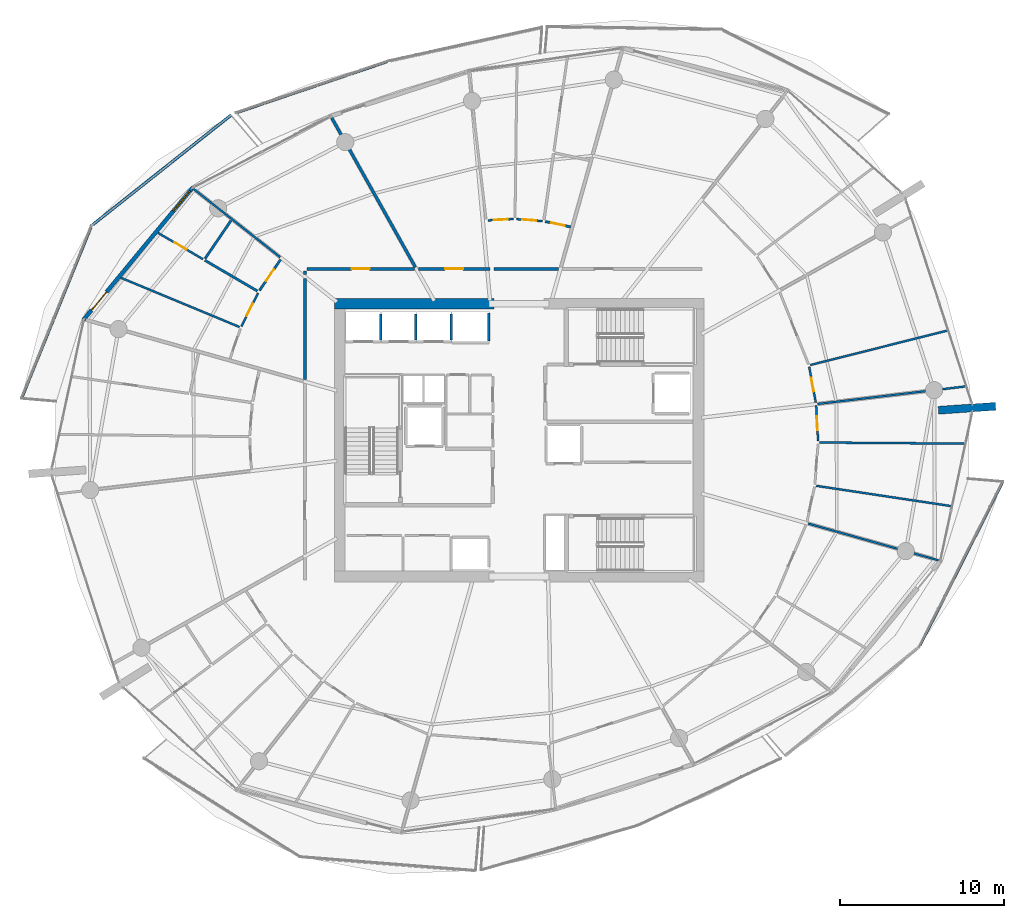
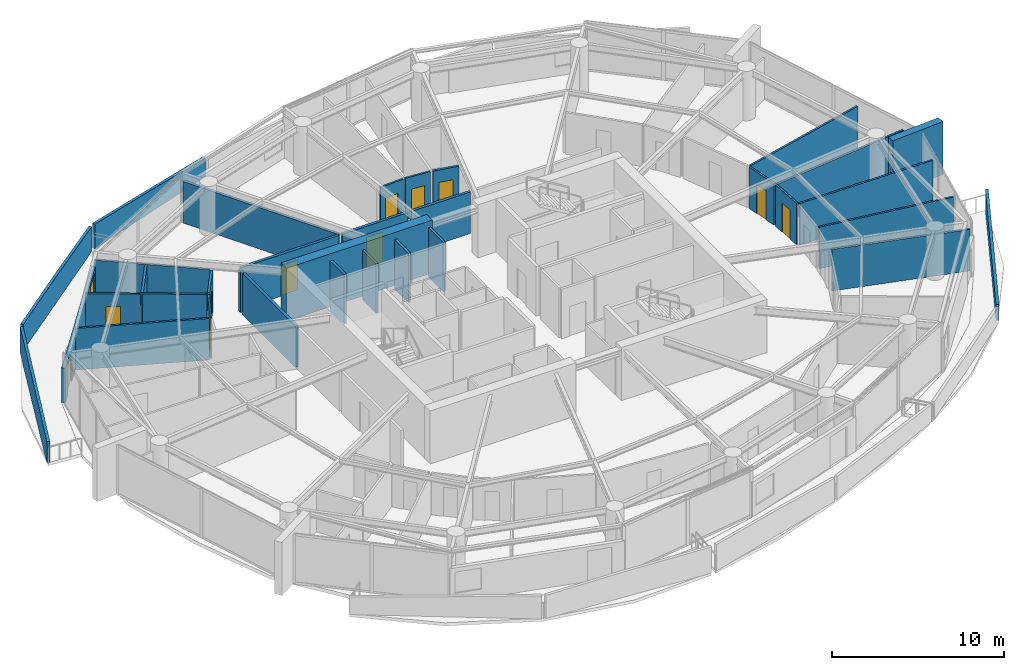
# One storey, part 14 of 20: 34 walls, 11 doors, 1 window, 12 openings.
"""IFC4 building model written with IfcOpenShell, lengths in metres."""

import ifcopenshell
import ifcopenshell.guid

model = None  # the IFC model being written
_history = None  # IfcOwnerHistory: only IFC2X3 demands one
_inside = {}  # id of a spatial element -> (the spatial element, [elements in it])
_under = {}  # id of a project, library or spatial element -> (it, [spatial elements below it])
_declared = {}  # id of a project -> (the project, [libraries it declares])
_typed = {}  # id of a type object -> (the type object, [elements of that type])
_made_of = {}  # id of a material, layer set ... -> (it, [elements and type objects made of it])


def new_model(schema):
    """Start an empty IFC model of exactly this schema.

    Asked for "IFC4X3", IfcOpenShell would pick the latest addendum, in which some entities
    have other attributes; the version numbers below select the first issue.
    IFC2X3 requires an IfcOwnerHistory on every rooted entity: one is made here for all.
    """
    global model, _history
    if schema == "IFC4X3":
        model = ifcopenshell.file(schema_version=(4, 3, 0, 0))
    else:
        model = ifcopenshell.file(schema=schema)
    _inside.clear()
    _under.clear()
    _declared.clear()
    _typed.clear()
    _made_of.clear()
    _history = None
    if model.schema == "IFC2X3":
        org = make("IfcOrganization", Name="unknown")
        user = make(
            "IfcPersonAndOrganization",
            ThePerson=make("IfcPerson", FamilyName="unknown"),
            TheOrganization=org,
        )
        app = make(
            "IfcApplication",
            ApplicationDeveloper=org,
            Version="unknown",
            ApplicationFullName="unknown",
            ApplicationIdentifier="unknown",
        )
        _history = make(
            "IfcOwnerHistory",
            OwningUser=user,
            OwningApplication=app,
            ChangeAction="ADDED",
            CreationDate=0,
        )
    return model


def make(cls, **values):
    """One entity of the class cls with the attributes given. An attribute that is None is left unset."""
    return model.create_entity(
        cls, **{name: value for name, value in values.items() if value is not None}
    )


def rooted(cls, **values):
    """An entity with a GlobalId (a new one), such as an element, a storey or a relation."""
    return make(cls, GlobalId=ifcopenshell.guid.new(), OwnerHistory=_history, **values)


def si_unit(unit_type, name, prefix=None):
    """IfcSIUnit, for example si_unit("LENGTHUNIT", "METRE", prefix="MILLI")."""
    return make("IfcSIUnit", UnitType=unit_type, Prefix=prefix, Name=name)


def assignment(units):
    """IfcUnitAssignment: the units of a project."""
    return None if units is None else make("IfcUnitAssignment", Units=units)


def point(xyz):
    """IfcCartesianPoint."""
    return None if xyz is None else make("IfcCartesianPoint", Coordinates=xyz)


def direction(xyz):
    """IfcDirection."""
    return None if xyz is None else make("IfcDirection", DirectionRatios=xyz)


def frame(location, z_axis=None, x_axis=None):
    """IfcAxis2Placement3D, a coordinate frame: its origin and axes. An axis left out is left unset."""
    return make(
        "IfcAxis2Placement3D",
        Location=point(location),
        Axis=direction(z_axis),
        RefDirection=direction(x_axis),
    )


def frame_2d(location, x_axis=None):
    """IfcAxis2Placement2D, a coordinate frame in the plane: its origin and x axis."""
    return make(
        "IfcAxis2Placement2D", Location=point(location), RefDirection=direction(x_axis)
    )


def origin():
    """The frame at (0, 0, 0) with its axes left unset."""
    return frame((0.0, 0.0, 0.0))


def place(relative_to, where):
    """IfcLocalPlacement: puts the frame where relative to a parent placement (None: the world)."""
    return make(
        "IfcLocalPlacement", PlacementRelTo=relative_to, RelativePlacement=where
    )


def context(
    kind, dimensions, precision=None, world=None, true_north=None, identifier=None
):
    """IfcGeometricRepresentationContext, for example the 3D "Model" context."""
    return make(
        "IfcGeometricRepresentationContext",
        ContextIdentifier=identifier,
        ContextType=kind,
        CoordinateSpaceDimension=dimensions,
        Precision=precision,
        WorldCoordinateSystem=world,
        TrueNorth=true_north,
    )


def subcontext(parent, identifier, kind, view, scale=None):
    """IfcGeometricRepresentationSubContext, for example "Body" below "Model"."""
    return make(
        "IfcGeometricRepresentationSubContext",
        ContextIdentifier=identifier,
        ContextType=kind,
        ParentContext=parent,
        TargetScale=scale,
        TargetView=view,
    )


def project(units=None, contexts=None):
    """IfcProject with its units and contexts."""
    return rooted(
        "IfcProject",
        Name="project",
        RepresentationContexts=contexts,
        UnitsInContext=assignment(units),
    )


def spatial(cls, under=None, at=None, **own):
    """A site, building, storey or space (cls), placed at a placement, below another one or the project."""
    s = rooted(cls, ObjectPlacement=at, **own)
    if under is not None:
        _under.setdefault(under.id(), (under, []))[1].append(s)
    return s


def polyline(points):
    """IfcPolyline through the points."""
    return make("IfcPolyline", Points=[point(p) for p in points])


def profile(cls, at=None, kind="AREA", **sizes):
    """A parametric profile (cls). Its sizes go by their IFC names, for example OverallWidth=200.0."""
    return make(cls, ProfileType=kind, Position=at, **sizes)


def rectangle(**sizes):
    """IfcRectangleProfileDef."""
    return profile("IfcRectangleProfileDef", **sizes)


def outline(outer, holes=None, kind="AREA"):
    """IfcArbitraryClosedProfileDef: a profile drawn as a closed curve; with holes, ...WithVoids."""
    if holes is None:
        return make("IfcArbitraryClosedProfileDef", ProfileType=kind, OuterCurve=outer)
    return make(
        "IfcArbitraryProfileDefWithVoids",
        ProfileType=kind,
        OuterCurve=outer,
        InnerCurves=holes,
    )


def extrude(swept, where, along, depth):
    """IfcExtrudedAreaSolid: the profile swept, set in the frame where, extruded along a direction by depth."""
    return make(
        "IfcExtrudedAreaSolid",
        SweptArea=swept,
        Position=where,
        ExtrudedDirection=direction(along),
        Depth=depth,
    )


def shape(context_of_items, identifier, shape_type, items):
    """IfcShapeRepresentation: the items that make up one representation, for example the "Body"."""
    return make(
        "IfcShapeRepresentation",
        ContextOfItems=context_of_items,
        RepresentationIdentifier=identifier,
        RepresentationType=shape_type,
        Items=items,
    )


def material(Name=None, Category=None):
    """IfcMaterial."""
    return make("IfcMaterial", Name=Name, Category=Category)


def layer(
    of_material, thickness, ventilated=None, Name=None, Category=None, Priority=None
):
    """IfcMaterialLayer: one layer of a wall or slab, of a material (None: an air gap)."""
    return make(
        "IfcMaterialLayer",
        Material=of_material,
        LayerThickness=thickness,
        IsVentilated=ventilated,
        Name=Name,
        Category=Category,
        Priority=Priority,
    )


def layer_set(layers, Name=None):
    """IfcMaterialLayerSet."""
    return make("IfcMaterialLayerSet", MaterialLayers=layers, LayerSetName=Name)


def made_of(thing, what):
    """Note that an element or type object is made of a material, layer set ...; save() writes the relation."""
    if what is not None:
        _made_of.setdefault(what.id(), (what, []))[1].append(thing)
    return thing


def type_object(cls, material=None, **own):
    """A type object (cls), such as IfcWallType, which elements share."""
    return made_of(rooted(cls, **own), material)


def element(
    cls,
    number,
    at=None,
    inside=None,
    cuts=None,
    type_object=None,
    material=None,
    context=None,
    identifier="Body",
    shape_type=None,
    held_by="IfcProductDefinitionShape",
    body=None,
    shapes=None,
    **own,
):
    """One element of the class cls, such as IfcWall. Its Tag is "e" and its number.

    at: its placement. inside: the storey or other place that contains it. cuts: it is an
    opening in that element (IfcRelVoidsElement). A single representation is given by context,
    identifier, shape_type and body (its items); several are given by shapes. held_by: the class
    of the entity that holds the representations. save() writes the other relations.
    """
    e = rooted(cls, Tag="e%d" % number, ObjectPlacement=at, **own)
    if body is not None:
        shapes = [shape(context, identifier, shape_type, body)]
    if shapes is not None:
        e.Representation = make(held_by, Representations=shapes)
    if inside is not None:
        _inside.setdefault(inside.id(), (inside, []))[1].append(e)
    if cuts is not None:
        rooted(
            "IfcRelVoidsElement", RelatingBuildingElement=cuts, RelatedOpeningElement=e
        )
    if type_object is not None:
        _typed.setdefault(type_object.id(), (type_object, []))[1].append(e)
    return made_of(e, material)


def fill(opening, filler):
    """IfcRelFillsElement: the door or window that sits in an opening."""
    return rooted(
        "IfcRelFillsElement",
        RelatingOpeningElement=opening,
        RelatedBuildingElement=filler,
    )


def aggregate(whole, parts):
    """IfcRelAggregates: a whole, such as a stair, and the parts it consists of."""
    return rooted("IfcRelAggregates", RelatingObject=whole, RelatedObjects=parts)


def save(model, path):
    """Write the relations noted so far, then the file.

    IfcRelAggregates (storeys below a building ...), IfcRelContainedInSpatialStructure (elements
    in a storey), IfcRelDefinesByType, IfcRelAssociatesMaterial and IfcRelDeclares: one each for
    every whole, place, type object, material and project.
    """
    for whole, parts in _under.values():
        aggregate(whole, parts)
    for where, things in _inside.values():
        rooted(
            "IfcRelContainedInSpatialStructure",
            RelatedElements=things,
            RelatingStructure=where,
        )
    for kind, things in _typed.values():
        rooted("IfcRelDefinesByType", RelatedObjects=things, RelatingType=kind)
    for what, things in _made_of.values():
        rooted("IfcRelAssociatesMaterial", RelatedObjects=things, RelatingMaterial=what)
    for by, libraries in _declared.values():
        rooted("IfcRelDeclares", RelatingContext=by, RelatedDefinitions=libraries)
    model.write(path)


model = new_model("IFC4")

# Units and contexts
model_context = context("Model", 3, precision=1e-05, world=origin(), true_north=direction((0.0, 1.0)))
body_context = subcontext(model_context, "Body", "Model", "MODEL_VIEW")
ifc_project = project(units=[si_unit("LENGTHUNIT", "METRE"), si_unit("AREAUNIT", "SQUARE_METRE"), si_unit("VOLUMEUNIT", "CUBIC_METRE"), si_unit("PLANEANGLEUNIT", "RADIAN"), si_unit("MASSUNIT", "GRAM", prefix="KILO")], contexts=[model_context])

# Site, building, storey
site_placement = place(None, origin())
site = spatial("IfcSite", under=ifc_project, at=site_placement, CompositionType="ELEMENT")
building_placement = place(site_placement, origin())
building = spatial("IfcBuilding", under=site, at=building_placement, Name="Kazma Halo Residences", CompositionType="ELEMENT")
storey_placement = place(building_placement, frame((0.0, 0.0, 202.800048828125)))
storey = spatial("IfcBuildingStorey", under=building, at=storey_placement, Name="L51", CompositionType="ELEMENT", Elevation=202.800048828125)

# Walls
ifc_material_1 = material(Name="White Concrete C50/60 Balustrade", Category="concrete")
ifc_layer_1 = layer(ifc_material_1, 0.179931640625)
ifc_layer_set_1 = layer_set([ifc_layer_1], Name="White Concrete C50/60 Balustrade")
wall_type_1 = type_object("IfcWallType", Name="WL-BAL-WAVE-180", PredefinedType="PARAPET", material=ifc_layer_set_1)
wall_1_placement = place(storey_placement, frame((40.3662109375, 65.106201171875, 0.0), z_axis=(0.0, 0.0, 1.0), x_axis=(-0.947048433124, -0.32109074312, 0.0)))
element("IfcWall", 1, at=wall_1_placement, inside=storey, type_object=wall_type_1, Name="L51 white wave balustrade wall NNW.2", PredefinedType="PARAPET", context=body_context, shape_type="SweptSolid", body=[
    extrude(outline(polyline([(0.0, 0.0), (9.736328125, 0.0), (9.736328125, 1.7470703125), (4.8681640625, 1.56201171875), (0.0, 1.347900390625), (0.0, 0.0)])), frame((0.0, 0.08984375, 0.0), z_axis=(0.0, -1.0, 0.0), x_axis=(1.0, 0.0, 0.0)), (0.0, 0.0, 1.0), 0.179931640625),
])
wall_2_placement = place(storey_placement, frame((30.846923828125, 61.8369140625, 0.0), z_axis=(0.0, 0.0, 1.0), x_axis=(-0.783919701346, -0.620862224524, 0.0)))
element("IfcWall", 2, at=wall_2_placement, inside=storey, type_object=wall_type_1, Name="L51 white wave balustrade wall NW.1", PredefinedType="PARAPET", context=body_context, shape_type="SweptSolid", body=[
    extrude(outline(polyline([(0.0, 0.0), (10.75634765625, 0.0), (10.75634765625, 1.83203125), (5.378173828125, 1.85302734375), (0.0, 1.755859375), (0.0, 0.0)])), frame((0.0, 0.08984375, 0.0), z_axis=(0.0, -1.0, 0.0), x_axis=(1.0, 0.0, 0.0)), (0.0, 0.0, 1.0), 0.179931640625),
])
wall_3_placement = place(storey_placement, frame((22.275390625, 54.97314453125, 0.0), z_axis=(0.0, 0.0, 1.0), x_axis=(-0.375821400088, -0.926692114586, 0.0)))
element("IfcWall", 3, at=wall_3_placement, inside=storey, type_object=wall_type_1, Name="L51 white wave balustrade wall NW.2", PredefinedType="PARAPET", context=body_context, shape_type="SweptSolid", body=[
    extrude(outline(polyline([(0.0, 0.0), (11.256591796875, 0.0), (11.256591796875, 1.4970703125), (5.62841796875, 1.696044921875), (0.0, 1.83203125), (0.0, 0.0)])), frame((0.0, 0.08984375, 0.0), z_axis=(0.0, -1.0, 0.0), x_axis=(1.0, 0.0, 0.0)), (0.0, 0.0, 1.0), 0.179931640625),
])
wall_4_placement = place(storey_placement, frame((72.87744140625, 29.458984375, 0.0), z_axis=(0.0, 0.0, 1.0), x_axis=(0.451373731974, 0.892335001042, 0.0)))
element("IfcWall", 4, at=wall_4_placement, inside=storey, type_object=wall_type_1, Name="L51 white wave balustrade wall SE.2", PredefinedType="PARAPET", context=body_context, shape_type="SweptSolid", body=[
    extrude(outline(polyline([(0.0, 0.0), (11.207763671875, 0.0), (11.20751953125, 1.48291015625), (5.603759765625, 1.283935546875), (0.0, 1.14794921875), (0.0, 0.0)])), frame((0.0, 0.08984375, 0.0), z_axis=(0.0, -1.0, 0.0), x_axis=(1.0, 0.0, 0.0)), (0.0, 0.0, 1.0), 0.179931640625),
])
ifc_material_2 = material(Name="Pale Concrete C60/75", Category="concrete")
ifc_layer_2 = layer(ifc_material_2, 0.47998046875)
ifc_layer_set_2 = layer_set([ifc_layer_2], Name="Pale Concrete C60/75")
wall_type_2 = type_object("IfcWallType", Name="WL-BLADE-480", PredefinedType="SOLIDWALL", material=ifc_layer_set_2)
wall_5_placement = place(storey_placement, frame((74.0126953125, 43.819091796875, 0.0), z_axis=(0.0, 0.0, 1.0), x_axis=(0.997568676264, 0.069690287244, 0.0)))
element("IfcWall", 5, at=wall_5_placement, inside=storey, type_object=wall_type_2, Name="L51 pale concrete structural blade fin wall BW-04", PredefinedType="SOLIDWALL", context=body_context, shape_type="SweptSolid", body=[
    extrude(rectangle(XDim=3.499755859375, YDim=0.47998046875, at=frame_2d((1.75, 0.0))), origin(), (0.0, 0.0, 1.0), 3.75),
])
ifc_material_3 = material(Name="Concrete C60/75", Category="concrete")
ifc_layer_3 = layer(ifc_material_3, 0.64990234375)
ifc_layer_set_3 = layer_set([ifc_layer_3], Name="Concrete C60/75")
wall_type_3 = type_object("IfcWallType", Name="WL-CORE-650", PredefinedType="SHEAR", material=ifc_layer_set_3)
wall_6_placement = place(storey_placement, frame((37.14990234375, 50.324951171875, 0.0), z_axis=(0.0, 0.0, 1.0), x_axis=(1.0, 0.0, 0.0)))
element("IfcWall", 6, at=wall_6_placement, inside=storey, type_object=wall_type_3, Name="L51 central core shear wall NW", PredefinedType="SHEAR", context=body_context, shape_type="SweptSolid", body=[
    extrude(rectangle(XDim=9.75, YDim=0.64990234375, at=frame_2d((4.875, 0.0))), origin(), (0.0, 0.0, 1.0), 3.75),
])
ifc_material_4 = material(Name="Acoustic Twin-Stud Gypsum")
ifc_layer_4 = layer(ifc_material_4, 0.179931640625)
ifc_layer_set_4 = layer_set([ifc_layer_4], Name="Acoustic Twin-Stud Gypsum")
wall_type_4 = type_object("IfcWallType", Name="WL-DEM-180", PredefinedType="PARTITIONING", material=ifc_layer_set_4)
wall_7_placement = place(storey_placement, frame((42.093994140625, 52.5458984375, 0.0), z_axis=(0.0, 0.0, 1.0), x_axis=(-0.488614041717, 0.872500039104, 0.0)))
element("IfcWall", 7, at=wall_7_placement, inside=storey, type_object=wall_type_4, Name="L51 apartment demising radial wall 04", PredefinedType="PARTITIONING", context=body_context, shape_type="SweptSolid", body=[
    extrude(rectangle(XDim=10.448486328125, YDim=0.179931640625, at=frame_2d((5.22412109375, 0.0))), origin(), (0.0, 0.0, 1.0), 2.93994140625),
])

# Wall, opening, door
wall_8_placement = place(storey_placement, frame((46.643310546875, 52.449951171875, 0.0), z_axis=(0.0, 0.0, 1.0), x_axis=(-1.0, 0.0, 0.0)))
wall_8 = element("IfcWall", 8, at=wall_8_placement, inside=storey, type_object=wall_type_4, Name="L51 Apartment 1 entrance corridor wall", PredefinedType="PARTITIONING", context=body_context, shape_type="SweptSolid", body=[
    extrude(rectangle(XDim=4.375732421875, YDim=0.179931640625, at=frame_2d((2.18798828125, 0.0))), origin(), (0.0, 0.0, 1.0), 2.93994140625),
])
opening_1_placement = place(wall_8_placement, frame((1.6376953125, 0.0, 0.0)))
opening_1 = element("IfcOpeningElement", 9, at=opening_1_placement, cuts=wall_8, Name="Opening DA-1100", PredefinedType="OPENING", context=body_context, shape_type="SweptSolid", body=[
    extrude(rectangle(XDim=1.10009765625, YDim=2.10009765625, at=frame_2d((0.550048828125, 1.050048828125))), frame((0.0, 0.099853515625, 0.0), z_axis=(0.0, -1.0, 0.0), x_axis=(1.0, 0.0, 0.0)), (0.0, 0.0, 1.0), 0.199951171875),
])
ifc_material_5 = material(Name="Acoustic Walnut Fire Leaf")
door_type_1 = type_object("IfcDoorType", Name="DR-FD60-1100", OperationType="NOTDEFINED", PredefinedType="DOOR", material=ifc_material_5)
door_1_placement = place(opening_1_placement, origin())
door_1 = element("IfcDoor", 10, at=door_1_placement, inside=storey, type_object=door_type_1, Name="L51 Apartment 1 entrance fire door", OperationType="SINGLE_SWING_LEFT", OverallHeight=2.10009765625, OverallWidth=1.10009765625, PredefinedType="DOOR", context=body_context, shape_type="SweptSolid", body=[
    extrude(rectangle(XDim=1.10009765625, YDim=2.10009765625, at=frame_2d((0.550048828125, 1.050048828125))), frame((0.0, 0.02490234375, 0.0), z_axis=(0.0, -1.0, 0.0), x_axis=(1.0, 0.0, 0.0)), (0.0, 0.0, 1.0), 0.050048828125),
])
fill(opening_1, door_1)

# Wall
wall_9_placement = place(storey_placement, frame((50.8271484375, 52.449951171875, 0.0), z_axis=(0.0, 0.0, 1.0), x_axis=(-1.0, 0.0, 0.0)))
element("IfcWall", 11, at=wall_9_placement, inside=storey, type_object=wall_type_4, Name="L51 Apartment 1 inner wall 2", PredefinedType="PARTITIONING", context=body_context, shape_type="SweptSolid", body=[
    extrude(rectangle(XDim=3.94384765625, YDim=0.179931640625, at=frame_2d((1.971923828125, 0.0))), origin(), (0.0, 0.0, 1.0), 2.93994140625),
])

# Wall, opening, door
wall_10_placement = place(storey_placement, frame((42.027587890625, 52.449951171875, 0.0), z_axis=(0.0, 0.0, 1.0), x_axis=(-1.0, 0.0, 0.0)))
wall_10 = element("IfcWall", 12, at=wall_10_placement, inside=storey, type_object=wall_type_4, Name="L51 Apartment 2 entrance corridor wall", PredefinedType="PARTITIONING", context=body_context, shape_type="SweptSolid", body=[
    extrude(rectangle(XDim=6.5576171875, YDim=0.179931640625, at=frame_2d((3.27880859375, 0.0))), origin(), (0.0, 0.0, 1.0), 2.93994140625),
])
opening_2_placement = place(wall_10_placement, frame((2.72900390625, 0.0, 0.0)))
opening_2 = element("IfcOpeningElement", 13, at=opening_2_placement, cuts=wall_10, Name="Opening DA-1100", PredefinedType="OPENING", context=body_context, shape_type="SweptSolid", body=[
    extrude(rectangle(XDim=1.10009765625, YDim=2.10009765625, at=frame_2d((0.550048828125, 1.050048828125))), frame((0.0, 0.099853515625, 0.0), z_axis=(0.0, -1.0, 0.0), x_axis=(1.0, 0.0, 0.0)), (0.0, 0.0, 1.0), 0.199951171875),
])
door_2_placement = place(opening_2_placement, origin())
door_2 = element("IfcDoor", 14, at=door_2_placement, inside=storey, type_object=door_type_1, Name="L51 Apartment 2 entrance fire door", OperationType="SINGLE_SWING_RIGHT", OverallHeight=2.10009765625, OverallWidth=1.10009765625, PredefinedType="DOOR", context=body_context, shape_type="SweptSolid", body=[
    extrude(rectangle(XDim=1.10009765625, YDim=2.10009765625, at=frame_2d((0.550048828125, 1.050048828125))), frame((0.0, 0.02490234375, 0.0), z_axis=(0.0, -1.0, 0.0), x_axis=(1.0, 0.0, 0.0)), (0.0, 0.0, 1.0), 0.050048828125),
])
fill(opening_2, door_2)

# Walls
wall_11_placement = place(storey_placement, frame((35.35009765625, 52.330078125, 0.0), z_axis=(0.0, 0.0, 1.0), x_axis=(0.0, -1.0, 0.0)))
element("IfcWall", 15, at=wall_11_placement, inside=storey, type_object=wall_type_4, Name="L51 Apartment 2 entrance corridor wall", PredefinedType="PARTITIONING", context=body_context, shape_type="SweptSolid", body=[
    extrude(rectangle(XDim=0.237548828125, YDim=0.179931640625, at=frame_2d((0.11865234375, 0.0))), origin(), (0.0, 0.0, 1.0), 2.93994140625),
])
wall_12_placement = place(storey_placement, frame((35.35009765625, 51.8525390625, 0.0), z_axis=(0.0, 0.0, 1.0), x_axis=(0.0, -1.0, 0.0)))
element("IfcWall", 16, at=wall_12_placement, inside=storey, type_object=wall_type_4, Name="L51 Apartment 2 inner wall 5", PredefinedType="PARTITIONING", context=body_context, shape_type="SweptSolid", body=[
    extrude(rectangle(XDim=6.164794921875, YDim=0.179931640625, at=frame_2d((3.08251953125, 0.0))), origin(), (0.0, 0.0, 1.0), 2.93994140625),
])

# Wall, openings, door, window
ifc_material_6 = material(Name="Insulated Pale-Metal Composite Wall")
ifc_layer_5 = layer(ifc_material_6, 0.239990234375)
ifc_layer_set_5 = layer_set([ifc_layer_5], Name="Insulated Pale-Metal Composite Wall")
wall_type_5 = type_object("IfcWallType", Name="WL-EXT-HOST-240", PredefinedType="SOLIDWALL", material=ifc_layer_set_5)
wall_13_placement = place(storey_placement, frame((28.514892578125, 57.42431640625, 0.0), z_axis=(0.0, 0.0, 1.0), x_axis=(-0.636759394418, -0.771062561418, 0.0)))
wall_13 = element("IfcWall", 17, at=wall_13_placement, inside=storey, type_object=wall_type_5, Name="L51 exterior terrace-access wall B06", PredefinedType="SOLIDWALL", context=body_context, shape_type="SweptSolid", body=[
    extrude(rectangle(XDim=10.494384765625, YDim=0.239990234375, at=frame_2d((5.2470703125, 0.0))), origin(), (0.0, 0.0, 1.0), 2.449951171875),
])
opening_3_placement = place(wall_13_placement, frame((8.2744140625, 0.0, 0.0)))
opening_3 = element("IfcOpeningElement", 18, at=opening_3_placement, cuts=wall_13, Name="Opening DTR-1600", PredefinedType="OPENING", context=body_context, shape_type="SweptSolid", body=[
    extrude(rectangle(XDim=1.449951171875, YDim=2.14990234375, at=frame_2d((0.72509765625, 1.074951171875))), frame((0.0, 0.1298828125, 0.0), z_axis=(0.0, -1.0, 0.0), x_axis=(1.0, 0.0, 0.0)), (0.0, 0.0, 1.0), 0.260009765625),
])
opening_4_placement = place(wall_13_placement, frame((0.280029296875, 0.0, 0.64990234375)))
opening_4 = element("IfcOpeningElement", 19, at=opening_4_placement, cuts=wall_13, Name="Opening W-1800", PredefinedType="OPENING", context=body_context, shape_type="SweptSolid", body=[
    extrude(rectangle(XDim=1.60009765625, YDim=1.5, at=frame_2d((0.800048828125, 0.75))), frame((0.0, 0.1298828125, 0.0), z_axis=(0.0, -1.0, 0.0), x_axis=(1.0, 0.0, 0.0)), (0.0, 0.0, 1.0), 0.260009765625),
])
ifc_material_7 = material(Name="Aluminium AW-6063 T6 Double-Glazed Terrace Door", Category="aluminium")
door_type_2 = type_object("IfcDoorType", Name="DR-EXT-TERR-1600", OperationType="NOTDEFINED", PredefinedType="DOOR", material=ifc_material_7)
door_3_placement = place(opening_3_placement, origin())
door_3 = element("IfcDoor", 20, at=door_3_placement, inside=storey, type_object=door_type_2, Name="L51 B06 balcony terrace door", OperationType="DOUBLE_DOOR_SLIDING", OverallHeight=2.14990234375, OverallWidth=1.449951171875, PredefinedType="DOOR", context=body_context, shape_type="SweptSolid", body=[
    extrude(rectangle(XDim=1.449951171875, YDim=2.14990234375, at=frame_2d((0.72509765625, 1.074951171875))), frame((0.0, 0.02490234375, 0.0), z_axis=(0.0, -1.0, 0.0), x_axis=(1.0, 0.0, 0.0)), (0.0, 0.0, 1.0), 0.050048828125),
])
fill(opening_3, door_3)
ifc_material_8 = material(Name="Clear Triple-Silver Low-E Glass in Aluminium AW-6063 T6 Frame", Category="aluminium")
window_type = type_object("IfcWindowType", Name="WIN-RES-1800", PartitioningType="DOUBLE_PANEL_VERTICAL", PredefinedType="WINDOW", material=ifc_material_8)
window_placement = place(opening_4_placement, origin())
window = element("IfcWindow", 21, at=window_placement, inside=storey, type_object=window_type, Name="L51 B06 apartment window", OverallHeight=1.5, OverallWidth=1.60009765625, PartitioningType="SINGLE_PANEL", PredefinedType="WINDOW", context=body_context, shape_type="SweptSolid", body=[
    extrude(rectangle(XDim=1.60009765625, YDim=1.5, at=frame_2d((0.800048828125, 0.75))), frame((0.0, 0.030029296875, 0.0), z_axis=(0.0, -1.0, 0.0), x_axis=(1.0, 0.0, 0.0)), (0.0, 0.0, 1.0), 0.06005859375),
])
fill(opening_4, window)

# Walls
ifc_material_9 = material(Name="Fire-Rated Blockwork Masonry", Category="masonry")
ifc_layer_6 = layer(ifc_material_9, 0.199951171875)
ifc_layer_set_6 = layer_set([ifc_layer_6], Name="Fire-Rated Blockwork Masonry")
wall_type_6 = type_object("IfcWallType", Name="WL-FLB-200", PredefinedType="PARTITIONING", material=ifc_layer_set_6)
for number, where, z_axis, x_axis, name in (
    (22, (39.97509765625, 48.094970703125, 0.0), (0.0, 0.0, 1.0), (0.0, 1.0, 0.0), "L51 lift shaft PM-01 side wall E"),
    (23, (42.125, 48.094970703125, 0.0), (0.0, 0.0, 1.0), (0.0, 1.0, 0.0), "L51 lift shaft PM-02 side wall E"),
    (24, (44.27490234375, 48.094970703125, 0.0), (0.0, 0.0, 1.0), (0.0, 1.0, 0.0), "L51 lift shaft PM-03 side wall E"),
):
    element("IfcWall", number, at=place(storey_placement, frame(where, z_axis=z_axis, x_axis=x_axis)), inside=storey, type_object=wall_type_6, Name=name, PredefinedType="PARTITIONING", context=body_context, shape_type="SweptSolid", body=[
        extrude(rectangle(XDim=1.610107421875, YDim=0.159912109375, at=frame_2d((0.80517578125, 0.0))), origin(), (0.0, 0.0, 1.0), 3.5),
    ])
wall_14_placement = place(storey_placement, frame((46.580078125, 48.044921875, 0.0), z_axis=(0.0, 0.0, 1.0), x_axis=(0.0, 1.0, 0.0)))
element("IfcWall", 25, at=wall_14_placement, inside=storey, type_object=wall_type_6, Name="L51 lift shaft PX-01 side wall E", PredefinedType="PARTITIONING", context=body_context, shape_type="SweptSolid", body=[
    extrude(rectangle(XDim=1.7099609375, YDim=0.159912109375, at=frame_2d((0.85498046875, 0.0))), origin(), (0.0, 0.0, 1.0), 3.5),
])

# Wall, opening, door
ifc_material_10 = material(Name="Gypsum Plasterboard Partition")
ifc_layer_7 = layer(ifc_material_10, 0.125)
ifc_layer_set_7 = layer_set([ifc_layer_7], Name="Gypsum Plasterboard Partition")
wall_type_7 = type_object("IfcWallType", Name="WL-PART-125", PredefinedType="PARTITIONING", material=ifc_layer_set_7)
wall_15_placement = place(storey_placement, frame((49.83837890625, 55.365478515625, 0.0), z_axis=(0.0, 0.0, 1.0), x_axis=(-0.996945175666, 0.078104524306, 0.0)))
wall_15 = element("IfcWall", 26, at=wall_15_placement, inside=storey, type_object=wall_type_7, Name="L51 Apartment 1 Gourmet Kitchen hall wall", PredefinedType="PARTITIONING", context=body_context, shape_type="SweptSolid", body=[
    extrude(rectangle(XDim=1.591064453125, YDim=0.125, at=frame_2d((0.79541015625, 0.0))), origin(), (0.0, 0.0, 1.0), 2.93994140625),
])
opening_5_placement = place(wall_15_placement, frame((0.37060546875, 0.0, 0.0)))
opening_5 = element("IfcOpeningElement", 27, at=opening_5_placement, cuts=wall_15, Name="Opening DB-900", PredefinedType="OPENING", context=body_context, shape_type="SweptSolid", body=[
    extrude(rectangle(XDim=0.85009765625, YDim=2.06005859375, at=frame_2d((0.425048828125, 1.030029296875))), frame((0.0, 0.072509765625, 0.0), z_axis=(0.0, -1.0, 0.0), x_axis=(1.0, 0.0, 0.0)), (0.0, 0.0, 1.0), 0.14501953125),
])
ifc_material_11 = material(Name="Moisture-Sealed Timber Leaf", Category="wood")
door_type_3 = type_object("IfcDoorType", Name="DR-BTH-900", OperationType="NOTDEFINED", PredefinedType="DOOR", material=ifc_material_11)
door_4_placement = place(opening_5_placement, origin())
door_4 = element("IfcDoor", 28, at=door_4_placement, inside=storey, type_object=door_type_3, Name="L51 Apartment 1 Gourmet Kitchen door", OperationType="SINGLE_SWING_RIGHT", OverallHeight=2.06005859375, OverallWidth=0.85009765625, PredefinedType="DOOR", context=body_context, shape_type="SweptSolid", body=[
    extrude(rectangle(XDim=0.85009765625, YDim=2.06005859375, at=frame_2d((0.425048828125, 1.030029296875))), frame((0.0, 0.02490234375, 0.0), z_axis=(0.0, -1.0, 0.0), x_axis=(1.0, 0.0, 0.0)), (0.0, 0.0, 1.0), 0.050048828125),
])
fill(opening_5, door_4)

wall_16_placement = place(storey_placement, frame((48.09228515625, 55.49169921875, 0.0), z_axis=(0.0, 0.0, 1.0), x_axis=(-0.998620813703, -0.052502099375, 0.0)))
wall_16 = element("IfcWall", 29, at=wall_16_placement, inside=storey, type_object=wall_type_7, Name="L51 Apartment 1 Primary Bedroom hall wall", PredefinedType="PARTITIONING", context=body_context, shape_type="SweptSolid", body=[
    extrude(rectangle(XDim=1.5810546875, YDim=0.125, at=frame_2d((0.79052734375, 0.0))), origin(), (0.0, 0.0, 1.0), 2.93994140625),
])
opening_6_placement = place(wall_16_placement, frame((0.365478515625, 0.0, 0.0)))
opening_6 = element("IfcOpeningElement", 30, at=opening_6_placement, cuts=wall_16, Name="Opening DB-900", PredefinedType="OPENING", context=body_context, shape_type="SweptSolid", body=[
    extrude(rectangle(XDim=0.85009765625, YDim=2.06005859375, at=frame_2d((0.425048828125, 1.030029296875))), frame((0.0, 0.072509765625, 0.0), z_axis=(0.0, -1.0, 0.0), x_axis=(1.0, 0.0, 0.0)), (0.0, 0.0, 1.0), 0.14501953125),
])
door_5_placement = place(opening_6_placement, origin())
door_5 = element("IfcDoor", 31, at=door_5_placement, inside=storey, type_object=door_type_3, Name="L51 Apartment 1 Primary Bedroom door", OperationType="SINGLE_SWING_LEFT", OverallHeight=2.06005859375, OverallWidth=0.85009765625, PredefinedType="DOOR", context=body_context, shape_type="SweptSolid", body=[
    extrude(rectangle(XDim=0.85009765625, YDim=2.06005859375, at=frame_2d((0.425048828125, 1.030029296875))), frame((0.0, 0.02490234375, 0.0), z_axis=(0.0, -1.0, 0.0), x_axis=(1.0, 0.0, 0.0)), (0.0, 0.0, 1.0), 0.050048828125),
])
fill(opening_6, door_5)

# Wall
wall_17_placement = place(storey_placement, frame((33.84228515625, 53.160888671875, 0.0), z_axis=(0.0, 0.0, 1.0), x_axis=(-0.785311801239, 0.619100456173, 0.0)))
element("IfcWall", 32, at=wall_17_placement, inside=storey, type_object=wall_type_7, Name="L51 Apartment 2 radial partition 5", PredefinedType="PARTITIONING", context=body_context, shape_type="SweptSolid", body=[
    extrude(rectangle(XDim=6.79931640625, YDim=0.125, at=frame_2d((3.399658203125, 0.0))), origin(), (0.0, 0.0, 1.0), 2.93994140625),
])

# Wall, opening, door
wall_18_placement = place(storey_placement, frame((29.125, 53.042724609375, 0.0), z_axis=(0.0, 0.0, 1.0), x_axis=(-0.86310104794, 0.505031267393, 0.0)))
wall_18 = element("IfcWall", 33, at=wall_18_placement, inside=storey, type_object=wall_type_7, Name="L51 Apartment 2 Household Store Room partition wall", PredefinedType="PARTITIONING", context=body_context, shape_type="SweptSolid", body=[
    extrude(rectangle(XDim=3.177978515625, YDim=0.125, at=frame_2d((1.5888671875, 0.0))), origin(), (0.0, 0.0, 1.0), 2.93994140625),
])
opening_7_placement = place(wall_18_placement, frame((1.1640625, 0.0, 0.0)))
opening_7 = element("IfcOpeningElement", 34, at=opening_7_placement, cuts=wall_18, Name="Opening DB-900", PredefinedType="OPENING", context=body_context, shape_type="SweptSolid", body=[
    extrude(rectangle(XDim=0.85009765625, YDim=2.06005859375, at=frame_2d((0.425048828125, 1.030029296875))), frame((0.0, 0.072509765625, 0.0), z_axis=(0.0, -1.0, 0.0), x_axis=(1.0, 0.0, 0.0)), (0.0, 0.0, 1.0), 0.14501953125),
])
door_6_placement = place(opening_7_placement, origin())
door_6 = element("IfcDoor", 35, at=door_6_placement, inside=storey, type_object=door_type_3, Name="L51 Apartment 2 Household Store Room door", OperationType="SINGLE_SWING_RIGHT", OverallHeight=2.06005859375, OverallWidth=0.85009765625, PredefinedType="DOOR", context=body_context, shape_type="SweptSolid", body=[
    extrude(rectangle(XDim=0.85009765625, YDim=2.06005859375, at=frame_2d((0.425048828125, 1.030029296875))), frame((0.0, 0.02490234375, 0.0), z_axis=(0.0, -1.0, 0.0), x_axis=(1.0, 0.0, 0.0)), (0.0, 0.0, 1.0), 0.050048828125),
])
fill(opening_7, door_6)

# Wall
wall_19_placement = place(storey_placement, frame((31.357177734375, 48.90380859375, 0.0), z_axis=(0.0, 0.0, 1.0), x_axis=(-0.92368191635, 0.383160172002, 0.0)))
element("IfcWall", 36, at=wall_19_placement, inside=storey, type_object=wall_type_7, Name="L51 Apartment 2 suite divider 5", PredefinedType="PARTITIONING", context=body_context, shape_type="SweptSolid", body=[
    extrude(rectangle(XDim=7.841064453125, YDim=0.125, at=frame_2d((3.92041015625, 0.0))), origin(), (0.0, 0.0, 1.0), 2.93994140625),
])

# Wall, opening, door
wall_20_placement = place(storey_placement, frame((32.485595703125, 50.97265625, 0.0), z_axis=(0.0, 0.0, 1.0), x_axis=(-0.445060172417, -0.895500666068, 0.0)))
wall_20 = element("IfcWall", 37, at=wall_20_placement, inside=storey, type_object=wall_type_7, Name="L51 Apartment 2 Gourmet Kitchen hall wall", PredefinedType="PARTITIONING", context=body_context, shape_type="SweptSolid", body=[
    extrude(rectangle(XDim=2.268798828125, YDim=0.125, at=frame_2d((1.13427734375, 0.0))), origin(), (0.0, 0.0, 1.0), 2.93994140625),
])
opening_8_placement = place(wall_20_placement, frame((0.70947265625, 0.0, 0.0)))
opening_8 = element("IfcOpeningElement", 38, at=opening_8_placement, cuts=wall_20, Name="Opening DB-900", PredefinedType="OPENING", context=body_context, shape_type="SweptSolid", body=[
    extrude(rectangle(XDim=0.85009765625, YDim=2.06005859375, at=frame_2d((0.425048828125, 1.030029296875))), frame((0.0, 0.072509765625, 0.0), z_axis=(0.0, -1.0, 0.0), x_axis=(1.0, 0.0, 0.0)), (0.0, 0.0, 1.0), 0.14501953125),
])
door_7_placement = place(opening_8_placement, origin())
door_7 = element("IfcDoor", 39, at=door_7_placement, inside=storey, type_object=door_type_3, Name="L51 Apartment 2 Gourmet Kitchen door", OperationType="SINGLE_SWING_LEFT", OverallHeight=2.06005859375, OverallWidth=0.85009765625, PredefinedType="DOOR", context=body_context, shape_type="SweptSolid", body=[
    extrude(rectangle(XDim=0.85009765625, YDim=2.06005859375, at=frame_2d((0.425048828125, 1.030029296875))), frame((0.0, 0.02490234375, 0.0), z_axis=(0.0, -1.0, 0.0), x_axis=(1.0, 0.0, 0.0)), (0.0, 0.0, 1.0), 0.050048828125),
])
fill(opening_8, door_7)

# Walls
wall_21_placement = place(storey_placement, frame((66.072021484375, 36.9033203125, 0.0), z_axis=(0.0, 0.0, 1.0), x_axis=(0.9624482888, -0.271465083179, 0.0)))
element("IfcWall", 40, at=wall_21_placement, inside=storey, type_object=wall_type_7, Name="L51 Apartment 4 radial partition 14", PredefinedType="PARTITIONING", context=body_context, shape_type="SweptSolid", body=[
    extrude(rectangle(XDim=8.253173828125, YDim=0.125, at=frame_2d((4.12646484375, 0.0))), origin(), (0.0, 0.0, 1.0), 2.93994140625),
])
wall_22_placement = place(storey_placement, frame((66.558349609375, 39.209716796875, 0.0), z_axis=(0.0, 0.0, 1.0), x_axis=(0.988887463127, -0.148666019217, 0.0)))
element("IfcWall", 41, at=wall_22_placement, inside=storey, type_object=wall_type_7, Name="L51 Apartment 4 bay wall 1 14", PredefinedType="PARTITIONING", context=body_context, shape_type="SweptSolid", body=[
    extrude(rectangle(XDim=8.360595703125, YDim=0.125, at=frame_2d((4.18017578125, 0.0))), origin(), (0.0, 0.0, 1.0), 2.93994140625),
])
wall_23_placement = place(storey_placement, frame((66.766357421875, 41.8525390625, 0.0), z_axis=(0.0, 0.0, 1.0), x_axis=(0.999969292204, -0.007836749939, 0.0)))
element("IfcWall", 42, at=wall_23_placement, inside=storey, type_object=wall_type_7, Name="L51 Apartment 4 bay wall 2 14", PredefinedType="PARTITIONING", context=body_context, shape_type="SweptSolid", body=[
    extrude(rectangle(XDim=8.878662109375, YDim=0.125, at=frame_2d((4.439453125, 0.0))), origin(), (0.0, 0.0, 1.0), 2.93994140625),
])

# Wall, opening, door
wall_24_placement = place(storey_placement, frame((66.672119140625, 41.93310546875, 0.0), z_axis=(0.0, 0.0, 1.0), x_axis=(-0.054962664786, 0.998488410288, 0.0)))
wall_24 = element("IfcWall", 43, at=wall_24_placement, inside=storey, type_object=wall_type_7, Name="L51 Apartment 4 Garden Bedroom hall wall", PredefinedType="PARTITIONING", context=body_context, shape_type="SweptSolid", body=[
    extrude(rectangle(XDim=2.185546875, YDim=0.125, at=frame_2d((1.0927734375, 0.0))), origin(), (0.0, 0.0, 1.0), 2.93994140625),
])
opening_9_placement = place(wall_24_placement, frame((0.667724609375, 0.0, 0.0)))
opening_9 = element("IfcOpeningElement", 44, at=opening_9_placement, cuts=wall_24, Name="Opening DB-900", PredefinedType="OPENING", context=body_context, shape_type="SweptSolid", body=[
    extrude(rectangle(XDim=0.85009765625, YDim=2.06005859375, at=frame_2d((0.425048828125, 1.030029296875))), frame((0.0, 0.072509765625, 0.0), z_axis=(0.0, -1.0, 0.0), x_axis=(1.0, 0.0, 0.0)), (0.0, 0.0, 1.0), 0.14501953125),
])
door_8_placement = place(opening_9_placement, origin())
door_8 = element("IfcDoor", 45, at=door_8_placement, inside=storey, type_object=door_type_3, Name="L51 Apartment 4 Garden Bedroom door", OperationType="SINGLE_SWING_LEFT", OverallHeight=2.06005859375, OverallWidth=0.85009765625, PredefinedType="DOOR", context=body_context, shape_type="SweptSolid", body=[
    extrude(rectangle(XDim=0.85009765625, YDim=2.06005859375, at=frame_2d((0.425048828125, 1.030029296875))), frame((0.0, 0.02490234375, 0.0), z_axis=(0.0, -1.0, 0.0), x_axis=(1.0, 0.0, 0.0)), (0.0, 0.0, 1.0), 0.050048828125),
])
fill(opening_9, door_8)

# Walls
wall_25_placement = place(storey_placement, frame((66.646728515625, 44.20703125, 0.0), z_axis=(0.0, 0.0, 1.0), x_axis=(0.993068115644, 0.117540281145, 0.0)))
element("IfcWall", 46, at=wall_25_placement, inside=storey, type_object=wall_type_7, Name="L51 Apartment 4 radial partition 15", PredefinedType="PARTITIONING", context=body_context, shape_type="SweptSolid", body=[
    extrude(rectangle(XDim=9.118408203125, YDim=0.125, at=frame_2d((4.55908203125, 0.0))), origin(), (0.0, 0.0, 1.0), 2.93994140625),
])
wall_26_placement = place(storey_placement, frame((66.19921875, 46.58154296875, 0.0), z_axis=(0.0, 0.0, 1.0), x_axis=(0.969747932206, 0.244108475851, 0.0)))
element("IfcWall", 47, at=wall_26_placement, inside=storey, type_object=wall_type_7, Name="L51 Apartment 4 mid-bay wall 15", PredefinedType="PARTITIONING", context=body_context, shape_type="SweptSolid", body=[
    extrude(rectangle(XDim=8.654052734375, YDim=0.125, at=frame_2d((4.3271484375, 0.0))), origin(), (0.0, 0.0, 1.0), 2.93994140625),
])

# Wall, opening, door
wall_27_placement = place(storey_placement, frame((66.529296875, 44.29345703125, 0.0), z_axis=(0.0, 0.0, 1.0), x_axis=(-0.181126107814, 0.983459878728, 0.0)))
wall_27 = element("IfcWall", 48, at=wall_27_placement, inside=storey, type_object=wall_type_7, Name="L51 Apartment 4 Sky Wine Pantry Store hall wall", PredefinedType="PARTITIONING", context=body_context, shape_type="SweptSolid", body=[
    extrude(rectangle(XDim=2.22412109375, YDim=0.125, at=frame_2d((1.112060546875, 0.0))), origin(), (0.0, 0.0, 1.0), 2.93994140625),
])
opening_10_placement = place(wall_27_placement, frame((0.68701171875, 0.0, 0.0)))
opening_10 = element("IfcOpeningElement", 49, at=opening_10_placement, cuts=wall_27, Name="Opening DB-900", PredefinedType="OPENING", context=body_context, shape_type="SweptSolid", body=[
    extrude(rectangle(XDim=0.85009765625, YDim=2.06005859375, at=frame_2d((0.425048828125, 1.030029296875))), frame((0.0, 0.072509765625, 0.0), z_axis=(0.0, -1.0, 0.0), x_axis=(1.0, 0.0, 0.0)), (0.0, 0.0, 1.0), 0.14501953125),
])
door_9_placement = place(opening_10_placement, origin())
door_9 = element("IfcDoor", 50, at=door_9_placement, inside=storey, type_object=door_type_3, Name="L51 Apartment 4 Sky Wine Pantry Store door", OperationType="SINGLE_SWING_LEFT", OverallHeight=2.06005859375, OverallWidth=0.85009765625, PredefinedType="DOOR", context=body_context, shape_type="SweptSolid", body=[
    extrude(rectangle(XDim=0.85009765625, YDim=2.06005859375, at=frame_2d((0.425048828125, 1.030029296875))), frame((0.0, 0.02490234375, 0.0), z_axis=(0.0, -1.0, 0.0), x_axis=(1.0, 0.0, 0.0)), (0.0, 0.0, 1.0), 0.050048828125),
])
fill(opening_10, door_9)

ifc_material_12 = material(Name="Moisture-Resistant Gypsum")
ifc_layer_8 = layer(ifc_material_12, 0.14990234375)
ifc_layer_set_8 = layer_set([ifc_layer_8], Name="Moisture-Resistant Gypsum")
wall_type_8 = type_object("IfcWallType", Name="WL-WET-150", PredefinedType="PARTITIONING", material=ifc_layer_set_8)
wall_28_placement = place(storey_placement, frame((51.56591796875, 55.010986328125, 0.0), z_axis=(0.0, 0.0, 1.0), x_axis=(-0.978219904541, 0.207571236833, 0.0)))
wall_28 = element("IfcWall", 51, at=wall_28_placement, inside=storey, type_object=wall_type_8, Name="L51 Apartment 1 Guest Bathroom hall wall", PredefinedType="PARTITIONING", context=body_context, shape_type="SweptSolid", body=[
    extrude(rectangle(XDim=1.584228515625, YDim=0.14990234375, at=frame_2d((0.7919921875, 0.0))), origin(), (0.0, 0.0, 1.0), 2.93994140625),
])
opening_11_placement = place(wall_28_placement, frame((0.3671875, 0.0, 0.0)))
opening_11 = element("IfcOpeningElement", 52, at=opening_11_placement, cuts=wall_28, Name="Opening DB-900", PredefinedType="OPENING", context=body_context, shape_type="SweptSolid", body=[
    extrude(rectangle(XDim=0.85009765625, YDim=2.06005859375, at=frame_2d((0.425048828125, 1.030029296875))), frame((0.0, 0.0849609375, 0.0), z_axis=(0.0, -1.0, 0.0), x_axis=(1.0, 0.0, 0.0)), (0.0, 0.0, 1.0), 0.169921875),
])
door_10_placement = place(opening_11_placement, origin())
door_10 = element("IfcDoor", 53, at=door_10_placement, inside=storey, type_object=door_type_3, Name="L51 Apartment 1 Guest Bathroom door", OperationType="SINGLE_SWING_RIGHT", OverallHeight=2.06005859375, OverallWidth=0.85009765625, PredefinedType="DOOR", context=body_context, shape_type="SweptSolid", body=[
    extrude(rectangle(XDim=0.85009765625, YDim=2.06005859375, at=frame_2d((0.425048828125, 1.030029296875))), frame((0.0, 0.02490234375, 0.0), z_axis=(0.0, -1.0, 0.0), x_axis=(1.0, 0.0, 0.0)), (0.0, 0.0, 1.0), 0.050048828125),
])
fill(opening_11, door_10)

wall_29_placement = place(storey_placement, frame((33.864501953125, 53.0166015625, 0.0), z_axis=(0.0, 0.0, 1.0), x_axis=(-0.563393152346, -0.826188934742, 0.0)))
wall_29 = element("IfcWall", 54, at=wall_29_placement, inside=storey, type_object=wall_type_8, Name="L51 Apartment 2 Guest Bathroom hall wall", PredefinedType="PARTITIONING", context=body_context, shape_type="SweptSolid", body=[
    extrude(rectangle(XDim=2.286376953125, YDim=0.14990234375, at=frame_2d((1.14306640625, 0.0))), origin(), (0.0, 0.0, 1.0), 2.93994140625),
])
opening_12_placement = place(wall_29_placement, frame((0.718017578125, 0.0, 0.0)))
opening_12 = element("IfcOpeningElement", 55, at=opening_12_placement, cuts=wall_29, Name="Opening DB-900", PredefinedType="OPENING", context=body_context, shape_type="SweptSolid", body=[
    extrude(rectangle(XDim=0.85009765625, YDim=2.06005859375, at=frame_2d((0.425048828125, 1.030029296875))), frame((0.0, 0.0849609375, 0.0), z_axis=(0.0, -1.0, 0.0), x_axis=(1.0, 0.0, 0.0)), (0.0, 0.0, 1.0), 0.169921875),
])
door_11_placement = place(opening_12_placement, origin())
door_11 = element("IfcDoor", 56, at=door_11_placement, inside=storey, type_object=door_type_3, Name="L51 Apartment 2 Guest Bathroom door", OperationType="SINGLE_SWING_LEFT", OverallHeight=2.06005859375, OverallWidth=0.85009765625, PredefinedType="DOOR", context=body_context, shape_type="SweptSolid", body=[
    extrude(rectangle(XDim=0.85009765625, YDim=2.06005859375, at=frame_2d((0.425048828125, 1.030029296875))), frame((0.0, 0.02490234375, 0.0), z_axis=(0.0, -1.0, 0.0), x_axis=(1.0, 0.0, 0.0)), (0.0, 0.0, 1.0), 0.050048828125),
])
fill(opening_12, door_11)

# Walls
wall_30_placement = place(storey_placement, frame((30.841064453125, 55.39990234375, 0.0), z_axis=(0.0, 0.0, 1.0), x_axis=(-0.563406719549, -0.826179682858, 0.0)))
element("IfcWall", 57, at=wall_30_placement, inside=storey, type_object=wall_type_8, Name="L51 Apartment 2 Guest Bathroom back wall", PredefinedType="PARTITIONING", context=body_context, shape_type="SweptSolid", body=[
    extrude(rectangle(XDim=2.81787109375, YDim=0.14990234375, at=frame_2d((1.408935546875, 0.0))), origin(), (0.0, 0.0, 1.0), 2.93994140625),
])
wall_31_placement = place(storey_placement, frame((32.447998046875, 51.0986328125, 0.0), z_axis=(0.0, 0.0, 1.0), x_axis=(-0.863104482894, 0.505025396994, 0.0)))
element("IfcWall", 58, at=wall_31_placement, inside=storey, type_object=wall_type_8, Name="L51 Apartment 2 Guest Bathroom side wall", PredefinedType="PARTITIONING", context=body_context, shape_type="SweptSolid", body=[
    extrude(rectangle(XDim=3.719970703125, YDim=0.14990234375, at=frame_2d((1.85986328125, 0.0))), origin(), (0.0, 0.0, 1.0), 2.93994140625),
])

save(model, "model.ifc")
